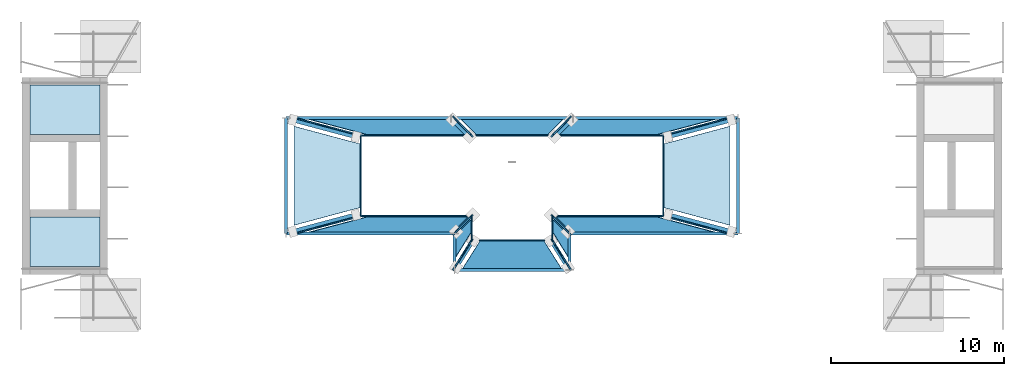
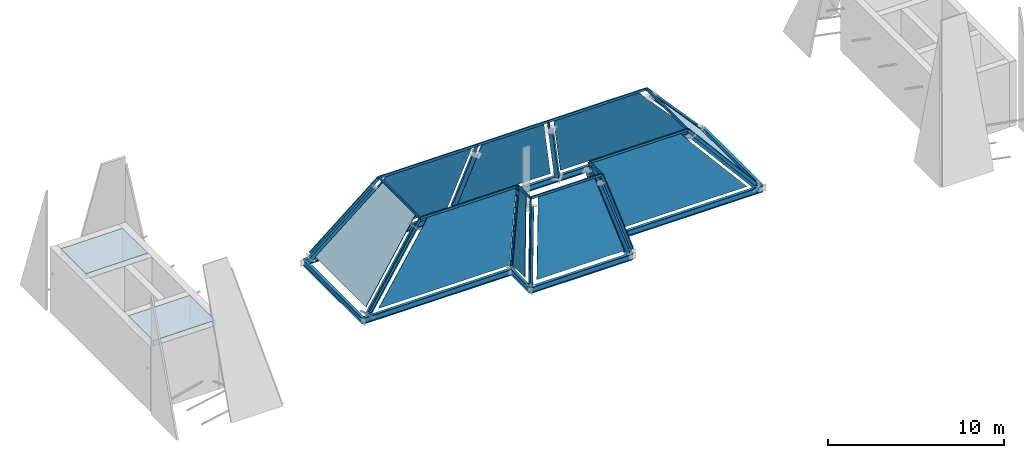
# One storey, part 1 of 4: 30 members, 10 beams, 10 plates, 2 slabs, 10 elements without a shape of their own.
"""IFC4 building model written with IfcOpenShell, lengths in metres."""

from ifc_helpers import new_model, si_unit, direction, frame, origin, origin_2d, place, context, subcontext, project, spatial, polyline, rectangle, hollow_rectangle, i_section, outline, extrude, material, layer, layer_set, material_profile, profile_set, type_object, element, aggregate, save


model = new_model("IFC4")

# Units and contexts
model_context = context("Model", 3, precision=1e-05, world=origin(), true_north=direction((0.0, 1.0)))
body_context = subcontext(model_context, "Body", "Model", "MODEL_VIEW")
ifc_project = project(units=[si_unit("LENGTHUNIT", "METRE"), si_unit("AREAUNIT", "SQUARE_METRE"), si_unit("VOLUMEUNIT", "CUBIC_METRE"), si_unit("PLANEANGLEUNIT", "RADIAN"), si_unit("MASSUNIT", "GRAM", prefix="KILO")], contexts=[model_context])

# Site, building, storey
site_placement = place(None, origin())
site = spatial("IfcSite", under=ifc_project, at=site_placement, CompositionType="ELEMENT")
building_placement = place(site_placement, origin())
building = spatial("IfcBuilding", under=site, at=building_placement, Name="Perihelion Cross Residences", CompositionType="ELEMENT")
storey_placement = place(building_placement, frame((0.0, 0.0, 312.300048828125)))
storey = spatial("IfcBuildingStorey", under=building, at=storey_placement, Name="L79", CompositionType="ELEMENT", Elevation=312.300048828125)

# Curtain wall, member
ifc_material_1 = material(Name="Bronze anodised aluminium, tinted glazing", Category="aluminium")
curtain_wall_type = type_object("IfcCurtainWallType", Name="CW6", PredefinedType="NOTDEFINED", material=ifc_material_1)
curtain_wall_1_placement = place(storey_placement, origin())
curtain_wall_1 = element("IfcCurtainWall", 1, at=curtain_wall_1_placement, inside=storey, type_object=curtain_wall_type, Name="Curtain wall CW6 L79 crown 1", PredefinedType="NOTDEFINED")
ifc_material_2 = material(Name="Bronze anodised aluminium", Category="aluminium")
ifc_material_profile_1 = material_profile(ifc_material_2, rectangle(XDim=0.080078125, YDim=0.199951171875, at=origin_2d()), Name="CW6 mullion")
ifc_profile_set_1 = profile_set([ifc_material_profile_1], Name="Bronze anodised aluminium")
member_type_1 = type_object("IfcMemberType", Name="CW6 mullion", PredefinedType="MULLION", material=ifc_profile_set_1)
member_1_placement = place(storey_placement, frame((12.64111328125, -3.365966796875, 0.0), z_axis=(-0.643996709767, 0.171465489147, 0.745565439007), x_axis=(-0.257288635568, -0.966334599405, 0.0)))
member_1 = element("IfcMember", 2, at=member_1_placement, type_object=member_type_1, Name="Mullion CW6-M L79 crown 1", PredefinedType="MULLION", context=body_context, shape_type="SweptSolid", body=[
    extrude(rectangle(XDim=0.080078125, YDim=0.199951171875, at=origin_2d()), origin(), (0.0, 0.0, 1.0), 6.03564453125),
])

curtain_wall_2_placement = place(storey_placement, origin())
curtain_wall_2 = element("IfcCurtainWall", 3, at=curtain_wall_2_placement, inside=storey, type_object=curtain_wall_type, Name="Curtain wall CW6 L79 crown 2", PredefinedType="NOTDEFINED")
member_2_placement = place(storey_placement, frame((12.64111328125, 3.365966796875, 0.0), z_axis=(-0.643996709767, -0.171465489147, 0.745565439007), x_axis=(0.257288635568, -0.966334599405, 0.0)))
member_2 = element("IfcMember", 4, at=member_2_placement, type_object=member_type_1, Name="Mullion CW6-M L79 crown 2", PredefinedType="MULLION", context=body_context, shape_type="SweptSolid", body=[
    extrude(rectangle(XDim=0.080078125, YDim=0.199951171875, at=origin_2d()), origin(), (0.0, 0.0, 1.0), 6.03564453125),
])

curtain_wall_3_placement = place(storey_placement, origin())
curtain_wall_3 = element("IfcCurtainWall", 5, at=curtain_wall_3_placement, inside=storey, type_object=curtain_wall_type, Name="Curtain wall CW6 L79 crown 3", PredefinedType="NOTDEFINED")
member_3_placement = place(storey_placement, frame((3.365966796875, 3.365966796875, 0.0), z_axis=(-0.218703730221, -0.218703730221, 0.950966538199), x_axis=(0.707106781187, -0.707106781187, 0.0)))
member_3 = element("IfcMember", 6, at=member_3_placement, type_object=member_type_1, Name="Mullion CW6-M L79 crown 3", PredefinedType="MULLION", context=body_context, shape_type="SweptSolid", body=[
    extrude(rectangle(XDim=0.080078125, YDim=0.199951171875, at=origin_2d()), origin(), (0.0, 0.0, 1.0), 4.73193359375),
])

curtain_wall_4_placement = place(storey_placement, origin())
curtain_wall_4 = element("IfcCurtainWall", 7, at=curtain_wall_4_placement, inside=storey, type_object=curtain_wall_type, Name="Curtain wall CW6 L79 crown 4", PredefinedType="NOTDEFINED")
member_4_placement = place(storey_placement, frame((-3.365966796875, 3.365966796875, 0.0), z_axis=(0.218703730221, -0.218703730221, 0.950966538199), x_axis=(0.707106781187, 0.707106781187, 0.0)))
member_4 = element("IfcMember", 8, at=member_4_placement, type_object=member_type_1, Name="Mullion CW6-M L79 crown 4", PredefinedType="MULLION", context=body_context, shape_type="SweptSolid", body=[
    extrude(rectangle(XDim=0.080078125, YDim=0.199951171875, at=origin_2d()), origin(), (0.0, 0.0, 1.0), 4.73193359375),
])

curtain_wall_5_placement = place(storey_placement, origin())
curtain_wall_5 = element("IfcCurtainWall", 9, at=curtain_wall_5_placement, inside=storey, type_object=curtain_wall_type, Name="Curtain wall CW6 L79 crown 5", PredefinedType="NOTDEFINED")
member_5_placement = place(storey_placement, frame((-12.64111328125, 3.365966796875, 0.0), z_axis=(0.643996709767, -0.171465489147, 0.745565439007), x_axis=(0.257288635568, 0.966334599405, 0.0)))
member_5 = element("IfcMember", 10, at=member_5_placement, type_object=member_type_1, Name="Mullion CW6-M L79 crown 5", PredefinedType="MULLION", context=body_context, shape_type="SweptSolid", body=[
    extrude(rectangle(XDim=0.080078125, YDim=0.199951171875, at=origin_2d()), origin(), (0.0, 0.0, 1.0), 6.03564453125),
])

curtain_wall_6_placement = place(storey_placement, origin())
curtain_wall_6 = element("IfcCurtainWall", 11, at=curtain_wall_6_placement, inside=storey, type_object=curtain_wall_type, Name="Curtain wall CW6 L79 crown 6", PredefinedType="NOTDEFINED")
member_6_placement = place(storey_placement, frame((-12.64111328125, -3.365966796875, 0.0), z_axis=(0.643996709767, 0.171465489147, 0.745565439007), x_axis=(-0.257288635568, 0.966334599405, 0.0)))
member_6 = element("IfcMember", 12, at=member_6_placement, type_object=member_type_1, Name="Mullion CW6-M L79 crown 6", PredefinedType="MULLION", context=body_context, shape_type="SweptSolid", body=[
    extrude(rectangle(XDim=0.080078125, YDim=0.199951171875, at=origin_2d()), origin(), (0.0, 0.0, 1.0), 6.03564453125),
])

curtain_wall_7_placement = place(storey_placement, origin())
curtain_wall_7 = element("IfcCurtainWall", 13, at=curtain_wall_7_placement, inside=storey, type_object=curtain_wall_type, Name="Curtain wall CW6 L79 crown 7", PredefinedType="NOTDEFINED")
member_7_placement = place(storey_placement, frame((-3.365966796875, -3.365966796875, 0.0), z_axis=(0.218703730221, 0.218703730221, 0.950966538199), x_axis=(-0.707106781187, 0.707106781187, 0.0)))
member_7 = element("IfcMember", 14, at=member_7_placement, type_object=member_type_1, Name="Mullion CW6-M L79 crown 7", PredefinedType="MULLION", context=body_context, shape_type="SweptSolid", body=[
    extrude(rectangle(XDim=0.080078125, YDim=0.199951171875, at=origin_2d()), origin(), (0.0, 0.0, 1.0), 4.73193359375),
])

curtain_wall_8_placement = place(storey_placement, origin())
curtain_wall_8 = element("IfcCurtainWall", 15, at=curtain_wall_8_placement, inside=storey, type_object=curtain_wall_type, Name="Curtain wall CW6 L79 crown 8", PredefinedType="NOTDEFINED")
member_8_placement = place(storey_placement, frame((-3.365966796875, -5.385498046875, 0.0), z_axis=(0.210972081218, 0.337585191531, 0.917347818118), x_axis=(-0.848019374338, 0.529965225979, 0.0)))
member_8 = element("IfcMember", 16, at=member_8_placement, type_object=member_type_1, Name="Mullion CW6-M L79 crown 8", PredefinedType="MULLION", context=body_context, shape_type="SweptSolid", body=[
    extrude(rectangle(XDim=0.080078125, YDim=0.199951171875, at=origin_2d()), origin(), (0.0, 0.0, 1.0), 4.905517578125),
])

curtain_wall_9_placement = place(storey_placement, origin())
curtain_wall_9 = element("IfcCurtainWall", 17, at=curtain_wall_9_placement, inside=storey, type_object=curtain_wall_type, Name="Curtain wall CW6 L79 crown 9", PredefinedType="NOTDEFINED")
member_9_placement = place(storey_placement, frame((3.365966796875, -5.385498046875, 0.0), z_axis=(-0.210972081218, 0.337585191531, 0.917347818118), x_axis=(-0.848019374338, -0.529965225979, 0.0)))
member_9 = element("IfcMember", 18, at=member_9_placement, type_object=member_type_1, Name="Mullion CW6-M L79 crown 9", PredefinedType="MULLION", context=body_context, shape_type="SweptSolid", body=[
    extrude(rectangle(XDim=0.080078125, YDim=0.199951171875, at=origin_2d()), origin(), (0.0, 0.0, 1.0), 4.905517578125),
])

curtain_wall_10_placement = place(storey_placement, origin())
curtain_wall_10 = element("IfcCurtainWall", 19, at=curtain_wall_10_placement, inside=storey, type_object=curtain_wall_type, Name="Curtain wall CW6 L79 crown 10", PredefinedType="NOTDEFINED")
member_10_placement = place(storey_placement, frame((3.365966796875, -3.365966796875, 0.0), z_axis=(-0.218703730221, 0.218703730221, 0.950966538199), x_axis=(-0.707106781187, -0.707106781187, 0.0)))
member_10 = element("IfcMember", 20, at=member_10_placement, type_object=member_type_1, Name="Mullion CW6-M L79 crown 10", PredefinedType="MULLION", context=body_context, shape_type="SweptSolid", body=[
    extrude(rectangle(XDim=0.080078125, YDim=0.199951171875, at=origin_2d()), origin(), (0.0, 0.0, 1.0), 4.73193359375),
])

# Member
ifc_material_3 = material(Name="Bronze anodised aluminium", Category="aluminium")
ifc_material_profile_2 = material_profile(ifc_material_3, rectangle(XDim=0.080078125, YDim=0.159912109375, at=origin_2d()), Name="CW6 transom")
ifc_profile_set_2 = profile_set([ifc_material_profile_2], Name="Bronze anodised aluminium")
member_type_2 = type_object("IfcMemberType", Name="CW6 transom", PredefinedType="USERDEFINED", material=ifc_profile_set_2)
member_11_placement = place(storey_placement, frame((8.754150390625, -2.3310546875, 4.5), z_axis=(0.0, 1.0, 0.0), x_axis=(-1.0, 0.0, 0.0)))
member_11 = element("IfcMember", 21, at=member_11_placement, type_object=member_type_2, Name="Transom CW6-T L79 crown 1 top", ObjectType="TRANSOM", PredefinedType="USERDEFINED", context=body_context, shape_type="SweptSolid", body=[
    extrude(rectangle(XDim=0.080078125, YDim=0.159912109375, at=origin_2d()), origin(), (0.0, 0.0, 1.0), 4.662109375),
])

member_12_placement = place(storey_placement, frame((8.754150390625, 2.3310546875, 4.5), z_axis=(-1.0, 0.0, 0.0), x_axis=(0.0, -1.0, 0.0)))
member_12 = element("IfcMember", 22, at=member_12_placement, type_object=member_type_2, Name="Transom CW6-T L79 crown 2 top", ObjectType="TRANSOM", PredefinedType="USERDEFINED", context=body_context, shape_type="SweptSolid", body=[
    extrude(rectangle(XDim=0.080078125, YDim=0.159912109375, at=origin_2d()), origin(), (0.0, 0.0, 1.0), 6.423095703125),
])

member_13_placement = place(storey_placement, frame((2.3310546875, 2.3310546875, 4.5), z_axis=(-1.0, 0.0, 0.0), x_axis=(0.0, -1.0, 0.0)))
member_13 = element("IfcMember", 23, at=member_13_placement, type_object=member_type_2, Name="Transom CW6-T L79 crown 3 top", ObjectType="TRANSOM", PredefinedType="USERDEFINED", context=body_context, shape_type="SweptSolid", body=[
    extrude(rectangle(XDim=0.080078125, YDim=0.159912109375, at=origin_2d()), origin(), (0.0, 0.0, 1.0), 4.662109375),
])

member_14_placement = place(storey_placement, frame((-2.3310546875, 2.3310546875, 4.5), z_axis=(-1.0, 0.0, 0.0), x_axis=(0.0, -1.0, 0.0)))
member_14 = element("IfcMember", 24, at=member_14_placement, type_object=member_type_2, Name="Transom CW6-T L79 crown 4 top", ObjectType="TRANSOM", PredefinedType="USERDEFINED", context=body_context, shape_type="SweptSolid", body=[
    extrude(rectangle(XDim=0.080078125, YDim=0.159912109375, at=origin_2d()), origin(), (0.0, 0.0, 1.0), 6.423095703125),
])

member_15_placement = place(storey_placement, frame((-8.754150390625, 2.3310546875, 4.5), z_axis=(0.0, -1.0, 0.0), x_axis=(1.0, 0.0, 0.0)))
member_15 = element("IfcMember", 25, at=member_15_placement, type_object=member_type_2, Name="Transom CW6-T L79 crown 5 top", ObjectType="TRANSOM", PredefinedType="USERDEFINED", context=body_context, shape_type="SweptSolid", body=[
    extrude(rectangle(XDim=0.080078125, YDim=0.159912109375, at=origin_2d()), origin(), (0.0, 0.0, 1.0), 4.662109375),
])

member_16_placement = place(storey_placement, frame((-8.754150390625, -2.3310546875, 4.5), z_axis=(1.0, 0.0, 0.0), x_axis=(0.0, 1.0, 0.0)))
member_16 = element("IfcMember", 26, at=member_16_placement, type_object=member_type_2, Name="Transom CW6-T L79 crown 6 top", ObjectType="TRANSOM", PredefinedType="USERDEFINED", context=body_context, shape_type="SweptSolid", body=[
    extrude(rectangle(XDim=0.080078125, YDim=0.159912109375, at=origin_2d()), origin(), (0.0, 0.0, 1.0), 6.423095703125),
])

member_17_placement = place(storey_placement, frame((-2.3310546875, -2.3310546875, 4.5), z_axis=(0.0, -1.0, 0.0), x_axis=(1.0, 0.0, 0.0)))
member_17 = element("IfcMember", 27, at=member_17_placement, type_object=member_type_2, Name="Transom CW6-T L79 crown 7 top", ObjectType="TRANSOM", PredefinedType="USERDEFINED", context=body_context, shape_type="SweptSolid", body=[
    extrude(rectangle(XDim=0.080078125, YDim=0.159912109375, at=origin_2d()), origin(), (0.0, 0.0, 1.0), 1.3984375),
])

member_18_placement = place(storey_placement, frame((-2.3310546875, -3.7294921875, 4.5), z_axis=(1.0, 0.0, 0.0), x_axis=(0.0, 1.0, 0.0)))
member_18 = element("IfcMember", 28, at=member_18_placement, type_object=member_type_2, Name="Transom CW6-T L79 crown 8 top", ObjectType="TRANSOM", PredefinedType="USERDEFINED", context=body_context, shape_type="SweptSolid", body=[
    extrude(rectangle(XDim=0.080078125, YDim=0.159912109375, at=origin_2d()), origin(), (0.0, 0.0, 1.0), 4.662109375),
])

member_19_placement = place(storey_placement, frame((2.3310546875, -3.7294921875, 4.5), z_axis=(0.0, 1.0, 0.0), x_axis=(-1.0, 0.0, 0.0)))
member_19 = element("IfcMember", 29, at=member_19_placement, type_object=member_type_2, Name="Transom CW6-T L79 crown 9 top", ObjectType="TRANSOM", PredefinedType="USERDEFINED", context=body_context, shape_type="SweptSolid", body=[
    extrude(rectangle(XDim=0.080078125, YDim=0.159912109375, at=origin_2d()), origin(), (0.0, 0.0, 1.0), 1.3984375),
])

member_20_placement = place(storey_placement, frame((2.3310546875, -2.3310546875, 4.5), z_axis=(1.0, 0.0, 0.0), x_axis=(0.0, 1.0, 0.0)))
member_20 = element("IfcMember", 30, at=member_20_placement, type_object=member_type_2, Name="Transom CW6-T L79 crown 10 top", ObjectType="TRANSOM", PredefinedType="USERDEFINED", context=body_context, shape_type="SweptSolid", body=[
    extrude(rectangle(XDim=0.080078125, YDim=0.159912109375, at=origin_2d()), origin(), (0.0, 0.0, 1.0), 6.423095703125),
])

# Members
ifc_material_4 = material(Name="Steel S355", Category="steel")
ifc_material_profile_3 = material_profile(ifc_material_4, hollow_rectangle(XDim=0.25390625, YDim=0.25390625, WallThickness=0.0126953125, at=origin_2d()), Name="HSS254x254x12.7")
ifc_profile_set_3 = profile_set([ifc_material_profile_3], Name="Steel S355")
member_type_3 = type_object("IfcMemberType", Name="Crown leg HSS254x254x12.7", PredefinedType="BRACE", material=ifc_profile_set_3)
for number, where, z_axis, x_axis, name in (
    (31, (12.693115234375, -3.2353515625, -0.25), (-0.64711969764, 0.172329145938, 0.742656557493), (-0.257333472274, -0.966322660423, 0.0), "Crown leg CR4 L79 1 no. 1"),
    (32, (12.693115234375, 3.2353515625, -0.25), (-0.64711969764, -0.172329145938, 0.742656557493), (0.257333472274, -0.966322660423, 0.0), "Crown leg CR4 L79 2 no. 1"),
):
    element("IfcMember", number, at=place(storey_placement, frame(where, z_axis=z_axis, x_axis=x_axis)), inside=storey, type_object=member_type_3, Name=name, PredefinedType="BRACE", context=body_context, shape_type="SweptSolid", body=[
        extrude(hollow_rectangle(XDim=0.25390625, YDim=0.25390625, WallThickness=0.0126953125, at=origin_2d()), origin(), (0.0, 0.0, 1.0), 5.652587890625),
    ])
for number, where, z_axis, x_axis, name in (
    (33, (3.43212890625, 3.2353515625, -0.25), (-0.220423665953, -0.220478923828, 0.950159171737), (0.70719539661, -0.707018154656, 0.0), "Crown leg CR4 L79 3 no. 1"),
    (34, (-3.43212890625, 3.2353515625, -0.25), (0.220423665953, -0.220478923828, 0.950159171737), (0.70719539661, 0.707018154656, 0.0), "Crown leg CR4 L79 4 no. 1"),
):
    element("IfcMember", number, at=place(storey_placement, frame(where, z_axis=z_axis, x_axis=x_axis)), inside=storey, type_object=member_type_3, Name=name, PredefinedType="BRACE", context=body_context, shape_type="SweptSolid", body=[
        extrude(hollow_rectangle(XDim=0.25390625, YDim=0.25390625, WallThickness=0.0126953125, at=origin_2d()), origin(), (0.0, 0.0, 1.0), 4.418212890625),
    ])
for number, where, z_axis, x_axis, name in (
    (35, (-12.693115234375, 3.2353515625, -0.25), (0.64711969764, -0.172329145938, 0.742656557493), (0.257333472274, 0.966322660423, 0.0), "Crown leg CR4 L79 5 no. 1"),
    (36, (-12.693115234375, -3.2353515625, -0.25), (0.64711969764, 0.172329145938, 0.742656557493), (-0.257333472274, 0.966322660423, 0.0), "Crown leg CR4 L79 6 no. 1"),
):
    element("IfcMember", number, at=place(storey_placement, frame(where, z_axis=z_axis, x_axis=x_axis)), inside=storey, type_object=member_type_3, Name=name, PredefinedType="BRACE", context=body_context, shape_type="SweptSolid", body=[
        extrude(hollow_rectangle(XDim=0.25390625, YDim=0.25390625, WallThickness=0.0126953125, at=origin_2d()), origin(), (0.0, 0.0, 1.0), 5.652587890625),
    ])
member_21_placement = place(storey_placement, frame((-3.2353515625, -3.2353515625, -0.25), z_axis=(0.220476238076, 0.220476238076, 0.950147597423), x_axis=(-0.707106781187, 0.707106781187, 0.0)))
element("IfcMember", 37, at=member_21_placement, inside=storey, type_object=member_type_3, Name="Crown leg CR4 L79 7 no. 1", PredefinedType="BRACE", context=body_context, shape_type="SweptSolid", body=[
    extrude(hollow_rectangle(XDim=0.25390625, YDim=0.25390625, WallThickness=0.0126953125, at=origin_2d()), origin(), (0.0, 0.0, 1.0), 4.418212890625),
])
for number, where, z_axis, x_axis, name in (
    (38, (-3.2353515625, -5.294677734375, -0.25), (0.212567851061, 0.340055286546, 0.916066215285), (-0.847960985392, 0.530058645107, 0.0), "Crown leg CR4 L79 8 no. 1"),
    (39, (3.2353515625, -5.294677734375, -0.25), (-0.212567851061, 0.340055286546, 0.916066215285), (-0.847960985392, -0.530058645107, 0.0), "Crown leg CR4 L79 9 no. 1"),
):
    element("IfcMember", number, at=place(storey_placement, frame(where, z_axis=z_axis, x_axis=x_axis)), inside=storey, type_object=member_type_3, Name=name, PredefinedType="BRACE", context=body_context, shape_type="SweptSolid", body=[
        extrude(hollow_rectangle(XDim=0.25390625, YDim=0.25390625, WallThickness=0.0126953125, at=origin_2d()), origin(), (0.0, 0.0, 1.0), 4.58251953125),
    ])
member_22_placement = place(storey_placement, frame((3.2353515625, -3.2353515625, -0.25), z_axis=(-0.220476238076, 0.220476238076, 0.950147597423), x_axis=(-0.707106781187, -0.707106781187, 0.0)))
element("IfcMember", 40, at=member_22_placement, inside=storey, type_object=member_type_3, Name="Crown leg CR4 L79 10 no. 1", PredefinedType="BRACE", context=body_context, shape_type="SweptSolid", body=[
    extrude(hollow_rectangle(XDim=0.25390625, YDim=0.25390625, WallThickness=0.0126953125, at=origin_2d()), origin(), (0.0, 0.0, 1.0), 4.418212890625),
])

# Beams
ifc_material_5 = material(Name="Steel S355", Category="steel")
ifc_material_profile_4 = material_profile(ifc_material_5, i_section(OverallWidth=0.180908203125, OverallDepth=0.4169921875, WebThickness=0.010986328125, FlangeThickness=0.018310546875, at=origin_2d()), Name="W410x85")
ifc_profile_set_4 = profile_set([ifc_material_profile_4], Name="Steel S355")
beam_type = type_object("IfcBeamType", Name="Crown ring beam W410x85", PredefinedType="BEAM", material=ifc_profile_set_4)
beam_1_placement = place(storey_placement, frame((13.069091796875, -3.33447265625, -0.45849609375), z_axis=(0.0, 1.0, 0.0), x_axis=(-1.0, 0.0, 0.0)))
element("IfcBeam", 41, at=beam_1_placement, inside=storey, type_object=beam_type, Name="Crown ring beam CB1 L79 no. 1", PredefinedType="BEAM", context=body_context, shape_type="SweptSolid", body=[
    extrude(i_section(OverallWidth=0.180908203125, OverallDepth=0.4169921875, WebThickness=0.010986328125, FlangeThickness=0.018310546875, at=origin_2d()), origin(), (0.0, 0.0, 1.0), 6.6689453125),
])
beam_2_placement = place(storey_placement, frame((13.069091796875, 3.33447265625, -0.45849609375), z_axis=(-1.0, 0.0, 0.0), x_axis=(0.0, -1.0, 0.0)))
element("IfcBeam", 42, at=beam_2_placement, inside=storey, type_object=beam_type, Name="Crown ring beam CB1 L79 no. 2", PredefinedType="BEAM", context=body_context, shape_type="SweptSolid", body=[
    extrude(i_section(OverallWidth=0.180908203125, OverallDepth=0.4169921875, WebThickness=0.010986328125, FlangeThickness=0.018310546875, at=origin_2d()), origin(), (0.0, 0.0, 1.0), 9.536376953125),
])
beam_3_placement = place(storey_placement, frame((3.53271484375, 3.33447265625, -0.45849609375), z_axis=(-1.0, 0.0, 0.0), x_axis=(0.0, -1.0, 0.0)))
element("IfcBeam", 43, at=beam_3_placement, inside=storey, type_object=beam_type, Name="Crown ring beam CB1 L79 no. 3", PredefinedType="BEAM", context=body_context, shape_type="SweptSolid", body=[
    extrude(i_section(OverallWidth=0.180908203125, OverallDepth=0.4169921875, WebThickness=0.010986328125, FlangeThickness=0.018310546875, at=origin_2d()), origin(), (0.0, 0.0, 1.0), 7.0654296875),
])
beam_4_placement = place(storey_placement, frame((-3.53271484375, 3.33447265625, -0.45849609375), z_axis=(-1.0, 0.0, 0.0), x_axis=(0.0, -1.0, 0.0)))
element("IfcBeam", 44, at=beam_4_placement, inside=storey, type_object=beam_type, Name="Crown ring beam CB1 L79 no. 4", PredefinedType="BEAM", context=body_context, shape_type="SweptSolid", body=[
    extrude(i_section(OverallWidth=0.180908203125, OverallDepth=0.4169921875, WebThickness=0.010986328125, FlangeThickness=0.018310546875, at=origin_2d()), origin(), (0.0, 0.0, 1.0), 9.536376953125),
])
beam_5_placement = place(storey_placement, frame((-13.069091796875, 3.33447265625, -0.45849609375), z_axis=(0.0, -1.0, 0.0), x_axis=(1.0, 0.0, 0.0)))
element("IfcBeam", 45, at=beam_5_placement, inside=storey, type_object=beam_type, Name="Crown ring beam CB1 L79 no. 5", PredefinedType="BEAM", context=body_context, shape_type="SweptSolid", body=[
    extrude(i_section(OverallWidth=0.180908203125, OverallDepth=0.4169921875, WebThickness=0.010986328125, FlangeThickness=0.018310546875, at=origin_2d()), origin(), (0.0, 0.0, 1.0), 6.6689453125),
])
beam_6_placement = place(storey_placement, frame((-13.069091796875, -3.33447265625, -0.45849609375), z_axis=(1.0, 0.0, 0.0), x_axis=(0.0, 1.0, 0.0)))
element("IfcBeam", 46, at=beam_6_placement, inside=storey, type_object=beam_type, Name="Crown ring beam CB1 L79 no. 6", PredefinedType="BEAM", context=body_context, shape_type="SweptSolid", body=[
    extrude(i_section(OverallWidth=0.180908203125, OverallDepth=0.4169921875, WebThickness=0.010986328125, FlangeThickness=0.018310546875, at=origin_2d()), origin(), (0.0, 0.0, 1.0), 9.734619140625),
])
beam_7_placement = place(storey_placement, frame((-3.33447265625, -3.33447265625, -0.45849609375), z_axis=(0.0, -1.0, 0.0), x_axis=(1.0, 0.0, 0.0)))
element("IfcBeam", 47, at=beam_7_placement, inside=storey, type_object=beam_type, Name="Crown ring beam CB1 L79 no. 7", PredefinedType="BEAM", context=body_context, shape_type="SweptSolid", body=[
    extrude(i_section(OverallWidth=0.180908203125, OverallDepth=0.4169921875, WebThickness=0.010986328125, FlangeThickness=0.018310546875, at=origin_2d()), origin(), (0.0, 0.0, 1.0), 2.11962890625),
])
beam_8_placement = place(storey_placement, frame((-3.33447265625, -5.4541015625, -0.45849609375), z_axis=(1.0, 0.0, 0.0), x_axis=(0.0, 1.0, 0.0)))
element("IfcBeam", 48, at=beam_8_placement, inside=storey, type_object=beam_type, Name="Crown ring beam CB1 L79 no. 8", PredefinedType="BEAM", context=body_context, shape_type="SweptSolid", body=[
    extrude(i_section(OverallWidth=0.180908203125, OverallDepth=0.4169921875, WebThickness=0.010986328125, FlangeThickness=0.018310546875, at=origin_2d()), origin(), (0.0, 0.0, 1.0), 6.6689453125),
])
beam_9_placement = place(storey_placement, frame((3.33447265625, -5.4541015625, -0.45849609375), z_axis=(0.0, 1.0, 0.0), x_axis=(-1.0, 0.0, 0.0)))
element("IfcBeam", 49, at=beam_9_placement, inside=storey, type_object=beam_type, Name="Crown ring beam CB1 L79 no. 9", PredefinedType="BEAM", context=body_context, shape_type="SweptSolid", body=[
    extrude(i_section(OverallWidth=0.180908203125, OverallDepth=0.4169921875, WebThickness=0.010986328125, FlangeThickness=0.018310546875, at=origin_2d()), origin(), (0.0, 0.0, 1.0), 2.11962890625),
])
beam_10_placement = place(storey_placement, frame((3.33447265625, -3.33447265625, -0.45849609375), z_axis=(1.0, 0.0, 0.0), x_axis=(0.0, 1.0, 0.0)))
element("IfcBeam", 50, at=beam_10_placement, inside=storey, type_object=beam_type, Name="Crown ring beam CB1 L79 no. 10", PredefinedType="BEAM", context=body_context, shape_type="SweptSolid", body=[
    extrude(i_section(OverallWidth=0.180908203125, OverallDepth=0.4169921875, WebThickness=0.010986328125, FlangeThickness=0.018310546875, at=origin_2d()), origin(), (0.0, 0.0, 1.0), 9.734619140625),
])

# Plate
ifc_material_6 = material(Name="Bronze anodised aluminium", Category="aluminium")
ifc_layer_1 = layer(ifc_material_6, 0.033935546875)
ifc_layer_set_1 = layer_set([ifc_layer_1], Name="CW6 metal panel")
plate_type_1 = type_object("IfcPlateType", Name="CW6 metal panel", PredefinedType="CURTAIN_PANEL", material=ifc_layer_set_1)
plate_1_placement = place(storey_placement, frame((1.838623046875, -3.74169921875, 4.467041015625), z_axis=(0.0, -0.938470871726, 0.345358397786), x_axis=(0.193668934384, -0.338819707063, -0.920702747883)))
plate_1 = element("IfcPlate", 51, at=plate_1_placement, type_object=plate_type_1, Name="Curtain wall panel CW6-PM L79 crown 8", PredefinedType="CURTAIN_PANEL", context=body_context, shape_type="SweptSolid", body=[
    extrude(outline(polyline([(0.0, 0.0), (0.5483645181042852, 0.0), (4.833093278989185, 0.08537171313948155), (3.725927320120788, -5.52318871263225), (-0.20493954991293883, -3.816005496386883), (-0.7121683324425953, -3.6076245786203383), (0.0, 0.0)])), origin(), (0.0, 0.0, -1.0), 0.033935546875),
])

aggregate(curtain_wall_8, [member_8, member_18, plate_1])

ifc_material_7 = material(Name="Tinted laminated glass", Category="glass")
ifc_layer_2 = layer(ifc_material_7, 0.033935546875)
ifc_layer_set_2 = layer_set([ifc_layer_2], Name="CW6 panel")
plate_type_2 = type_object("IfcPlateType", Name="CW6 panel", PredefinedType="CURTAIN_PANEL", material=ifc_layer_set_2)
plate_2_placement = place(storey_placement, frame((8.777099609375, 1.844970703125, 4.473388671875), z_axis=(0.756763793955, 0.0, 0.653688427432), x_axis=(0.645212497923, 0.160513248694, -0.746951356862)))
plate_2 = element("IfcPlate", 52, at=plate_2_placement, type_object=plate_type_2, Name="Curtain wall panel CW6-P L79 crown 1", PredefinedType="CURTAIN_PANEL", context=body_context, shape_type="SweptSolid", body=[
    extrude(outline(polyline([(0.0, 0.0), (0.5445179414246538, 0.0), (5.9643267593596025, 0.06621011485974004), (5.04372684766305, -5.594775077494636), (-0.07582500945889897, -3.8146345817712315), (-0.5922844826060655, -3.6420964667650275), (0.0, 0.0)])), origin(), (0.0, 0.0, -1.0), 0.033935546875),
])

aggregate(curtain_wall_1, [member_1, member_11, plate_2])

plate_3_placement = place(storey_placement, frame((2.677978515625, 2.3388671875, 4.4658203125), z_axis=(-5.045088e-06, 0.974555668254, 0.22414559877), x_axis=(0.219570173925, 0.218676788077, -0.950773054456)))
plate_3 = element("IfcPlate", 53, at=plate_3_placement, type_object=plate_type_2, Name="Curtain wall panel CW6-P L79 crown 2", PredefinedType="CURTAIN_PANEL", context=body_context, shape_type="SweptSolid", body=[
    extrude(outline(polyline([(0.0, 0.0), (4.661095274363651, 0.0), (6.497475999006179, -8.15942784709872), (1.937039735196004, -5.7656783435848595), (1.2216271224531796, -5.427947608008078), (0.0, 0.0)])), origin(), (0.0, 0.0, -1.0), 0.033935546875),
])

aggregate(curtain_wall_2, [member_2, member_12, plate_3])

plate_4_placement = place(storey_placement, frame((-2.029296875, 2.3388671875, 4.4658203125), z_axis=(0.0, 0.974553454519, 0.224155223639), x_axis=(-0.204935469332, 0.219397638118, -0.953869031785)))
plate_4 = element("IfcPlate", 54, at=plate_4_placement, type_object=plate_type_2, Name="Curtain wall panel CW6-P L79 crown 3", PredefinedType="CURTAIN_PANEL", context=body_context, shape_type="SweptSolid", body=[
    extrude(outline(polyline([(0.0, 0.0), (0.565869818694496, 1.3877787807814457e-17), (4.660072250206371, 0.0674128039859293), (3.409845807904289, -5.903691166285517), (-0.31341141617891455, -4.199462989176821), (-0.8317498149843847, -3.9724520730667727), (0.0, 0.0)])), origin(), (0.0, 0.0, -1.0), 0.033935546875),
])

aggregate(curtain_wall_3, [member_3, member_13, plate_4])

plate_5_placement = place(storey_placement, frame((-8.24169921875, 2.3388671875, 4.4658203125), z_axis=(5.045088e-06, 0.974555668254, 0.22414559877), x_axis=(-0.615039156519, 0.176741059083, -0.768433103128)))
plate_5 = element("IfcPlate", 55, at=plate_5_placement, type_object=plate_type_2, Name="Curtain wall panel CW6-P L79 crown 4", PredefinedType="CURTAIN_PANEL", context=body_context, shape_type="SweptSolid", body=[
    extrude(outline(polyline([(0.0, 0.0), (0.7911240460412945, 5.551115123125783e-17), (5.93701289080453, 0.2178155164102491), (0.7931172890255604, -6.376795540797572), (-3.421906088359778, -4.386974673284556), (0.0, 0.0)])), origin(), (0.0, 0.0, -1.0), 0.033935546875),
])

aggregate(curtain_wall_4, [member_4, member_14, plate_5])

plate_6_placement = place(storey_placement, frame((-8.777099609375, -1.844970703125, 4.473388671875), z_axis=(-0.756763793955, 0.0, 0.653688427432), x_axis=(-0.645212497923, -0.160513248694, -0.746951356862)))
plate_6 = element("IfcPlate", 56, at=plate_6_placement, type_object=plate_type_2, Name="Curtain wall panel CW6-P L79 crown 5", PredefinedType="CURTAIN_PANEL", context=body_context, shape_type="SweptSolid", body=[
    extrude(outline(polyline([(0.0, 0.0), (0.5445179414246538, 0.0), (5.9643267593596025, 0.06621011485974004), (5.04372684766305, -5.594775077494636), (-0.07582500945889897, -3.8146345817712315), (-0.5922844826060655, -3.6420964667650275), (0.0, 0.0)])), origin(), (0.0, 0.0, -1.0), 0.033935546875),
])

aggregate(curtain_wall_5, [member_5, member_15, plate_6])

plate_7_placement = place(storey_placement, frame((-2.482666015625, -2.3388671875, 4.4658203125), z_axis=(1.612826e-06, -0.974555475998, 0.224146434724), x_axis=(-0.199109041219, -0.219658740148, -0.955042212461)))
plate_7 = element("IfcPlate", 57, at=plate_7_placement, type_object=plate_type_2, Name="Curtain wall panel CW6-P L79 crown 6", PredefinedType="CURTAIN_PANEL", context=body_context, shape_type="SweptSolid", body=[
    extrude(outline(polyline([(0.0, 0.0), (0.27098256247891583, 1.3877787807814457e-17), (4.659734574756411, -0.09585245307554724), (6.364216855345294, -8.484994420764504), (1.854865004782245, -5.99634790292747), (1.1466755794208066, -5.643722047564876), (0.0, 0.0)])), origin(), (0.0, 0.0, -1.0), 0.033935546875),
])

aggregate(curtain_wall_6, [member_6, member_16, plate_7])

plate_8_placement = place(storey_placement, frame((-2.3388671875, -3.236572265625, 4.4658203125), z_axis=(-0.97454872822, -8.2830447e-05, 0.224175755747), x_axis=(-0.212925278322, -0.312473291991, -0.925755511808)))
plate_8 = element("IfcPlate", 58, at=plate_8_placement, type_object=plate_type_2, Name="Curtain wall panel CW6-P L79 crown 7", PredefinedType="CURTAIN_PANEL", context=body_context, shape_type="SweptSolid", body=[
    extrude(outline(polyline([(0.0, 0.0), (0.6094271187332497, -2.7755575615628914e-17), (4.829018861808167, 0.12757568698303245), (4.4033350314097355, -1.1665136937742857), (0.03354337946486988, -0.7478815985026276), (-0.2355755677903861, -0.7161555569495696), (0.0, 0.0)])), origin(), (0.0, 0.0, -1.0), 0.033935546875),
])

aggregate(curtain_wall_7, [member_7, member_17, plate_8])

plate_9_placement = place(storey_placement, frame((2.3388671875, -2.482666015625, 4.4658203125), z_axis=(0.97454872822, -8.2830447e-05, 0.224175755747), x_axis=(0.219671089962, -0.199109026931, -0.955039374911)))
plate_9 = element("IfcPlate", 59, at=plate_9_placement, type_object=plate_type_2, Name="Curtain wall panel CW6-P L79 crown 9", PredefinedType="CURTAIN_PANEL", context=body_context, shape_type="SweptSolid", body=[
    extrude(outline(polyline([(0.0, 0.0), (0.270982563063389, 0.0), (4.659734573162438, -0.0958525244849896), (4.930981733873433, -1.4308802495370807), (0.7553454737196054, -0.8101614267003924), (0.15010953983432904, -0.7388110421076806), (0.0, 0.0)])), origin(), (0.0, 0.0, -1.0), 0.033935546875),
])

aggregate(curtain_wall_9, [member_9, member_19, plate_9])

plate_10_placement = place(storey_placement, frame((8.24169921875, -2.3388671875, 4.4658203125), z_axis=(-1.612826e-06, -0.974555475998, 0.224146434724), x_axis=(0.615039156296, -0.176739661004, -0.768433424866)))
plate_10 = element("IfcPlate", 60, at=plate_10_placement, type_object=plate_type_2, Name="Curtain wall panel CW6-P L79 crown 10", PredefinedType="CURTAIN_PANEL", context=body_context, shape_type="SweptSolid", body=[
    extrude(outline(polyline([(0.0, 0.0), (0.7911240460412945, 5.551115123125783e-17), (5.937012890734849, 0.21781551811433975), (0.6719413633031701, -6.532146304733986), (-3.299455834150473, -4.661762328624345), (-3.5420309223301922, -4.540977910083537), (0.0, 0.0)])), origin(), (0.0, 0.0, -1.0), 0.033935546875),
])

aggregate(curtain_wall_10, [member_10, member_20, plate_10])

# Slabs
ifc_material_8 = material(Name="Concrete C50/60", Category="concrete")
ifc_layer_3 = layer(ifc_material_8, 0.39990234375)
ifc_layer_set_3 = layer_set([ifc_layer_3], Name="Stack roof slab 400")
slab_type = type_object("IfcSlabType", Name="Stack roof slab 400", PredefinedType="ROOF", material=ifc_layer_set_3)
slab_1_placement = place(storey_placement, frame((0.0, 0.0, 4.099853515625)))
element("IfcSlab", 61, at=slab_1_placement, inside=storey, type_object=slab_type, Name="West core stack fan deck 1, step 2", PredefinedType="ROOF", context=body_context, shape_type="SweptSolid", body=[
    extrude(outline(polyline([(-27.89990234375, 2.39990234375), (-23.85009765625, 2.39990234375), (-23.85009765625, 5.25), (-27.89990234375, 5.25), (-27.89990234375, 2.39990234375)])), origin(), (0.0, 0.0, 1.0), 0.400146484375),
])
slab_2_placement = place(storey_placement, frame((0.0, 0.0, 4.099853515625)))
element("IfcSlab", 62, at=slab_2_placement, inside=storey, type_object=slab_type, Name="West core stack fan deck 2, step 2", PredefinedType="ROOF", context=body_context, shape_type="SweptSolid", body=[
    extrude(outline(polyline([(-27.89990234375, -5.25), (-23.85009765625, -5.25), (-23.85009765625, -2.39990234375), (-27.89990234375, -2.39990234375), (-27.89990234375, -5.25)])), origin(), (0.0, 0.0, 1.0), 0.400146484375),
])

save(model, "model.ifc")
